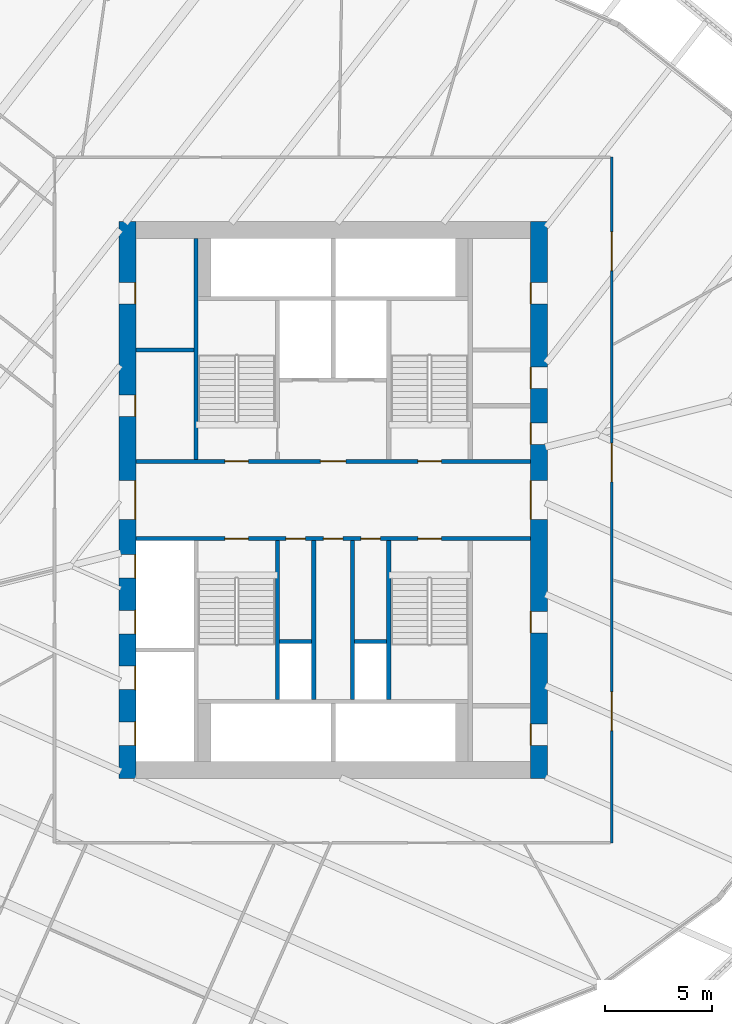
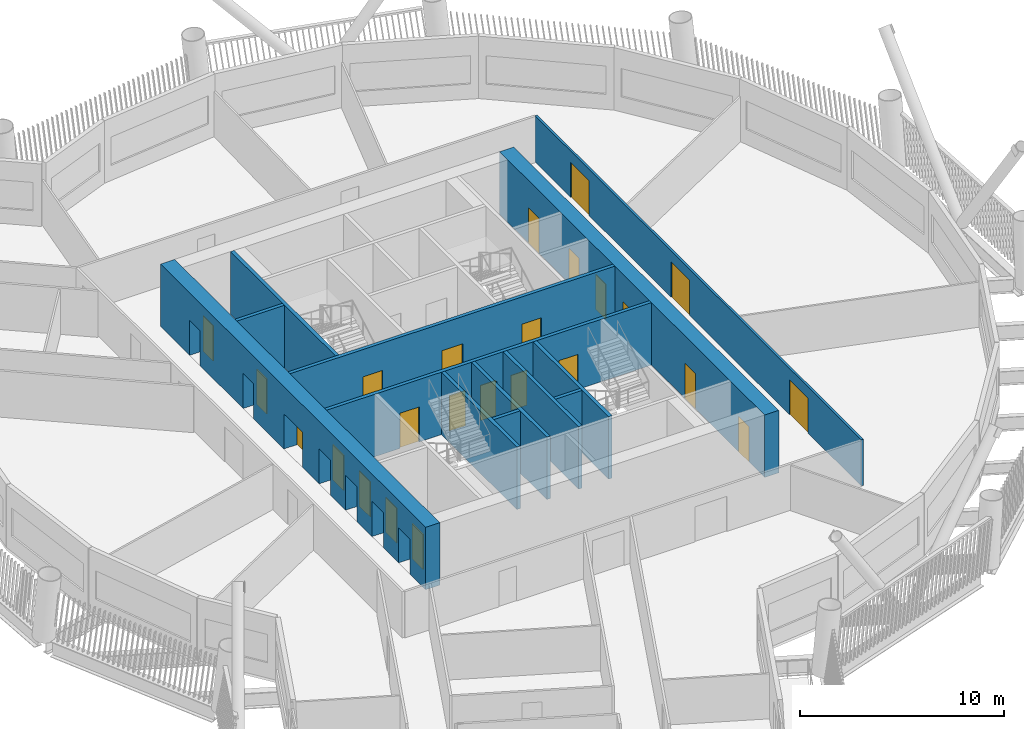
# One storey, part 5 of 22: 24 doors, 13 walls, 24 openings.
"""IFC4 building model written with IfcOpenShell, lengths in metres."""

import ifcopenshell
import ifcopenshell.guid

model = None  # the IFC model being written
_history = None  # IfcOwnerHistory: only IFC2X3 demands one
_inside = {}  # id of a spatial element -> (the spatial element, [elements in it])
_under = {}  # id of a project, library or spatial element -> (it, [spatial elements below it])
_declared = {}  # id of a project -> (the project, [libraries it declares])
_typed = {}  # id of a type object -> (the type object, [elements of that type])
_made_of = {}  # id of a material, layer set ... -> (it, [elements and type objects made of it])


def new_model(schema):
    """Start an empty IFC model of exactly this schema.

    Asked for "IFC4X3", IfcOpenShell would pick the latest addendum, in which some entities
    have other attributes; the version numbers below select the first issue.
    IFC2X3 requires an IfcOwnerHistory on every rooted entity: one is made here for all.
    """
    global model, _history
    if schema == "IFC4X3":
        model = ifcopenshell.file(schema_version=(4, 3, 0, 0))
    else:
        model = ifcopenshell.file(schema=schema)
    _inside.clear()
    _under.clear()
    _declared.clear()
    _typed.clear()
    _made_of.clear()
    _history = None
    if model.schema == "IFC2X3":
        org = make("IfcOrganization", Name="unknown")
        user = make(
            "IfcPersonAndOrganization",
            ThePerson=make("IfcPerson", FamilyName="unknown"),
            TheOrganization=org,
        )
        app = make(
            "IfcApplication",
            ApplicationDeveloper=org,
            Version="unknown",
            ApplicationFullName="unknown",
            ApplicationIdentifier="unknown",
        )
        _history = make(
            "IfcOwnerHistory",
            OwningUser=user,
            OwningApplication=app,
            ChangeAction="ADDED",
            CreationDate=0,
        )
    return model


def make(cls, **values):
    """One entity of the class cls with the attributes given. An attribute that is None is left unset."""
    return model.create_entity(
        cls, **{name: value for name, value in values.items() if value is not None}
    )


def rooted(cls, **values):
    """An entity with a GlobalId (a new one), such as an element, a storey or a relation."""
    return make(cls, GlobalId=ifcopenshell.guid.new(), OwnerHistory=_history, **values)


def si_unit(unit_type, name, prefix=None):
    """IfcSIUnit, for example si_unit("LENGTHUNIT", "METRE", prefix="MILLI")."""
    return make("IfcSIUnit", UnitType=unit_type, Prefix=prefix, Name=name)


def assignment(units):
    """IfcUnitAssignment: the units of a project."""
    return None if units is None else make("IfcUnitAssignment", Units=units)


def point(xyz):
    """IfcCartesianPoint."""
    return None if xyz is None else make("IfcCartesianPoint", Coordinates=xyz)


def direction(xyz):
    """IfcDirection."""
    return None if xyz is None else make("IfcDirection", DirectionRatios=xyz)


def frame(location, z_axis=None, x_axis=None):
    """IfcAxis2Placement3D, a coordinate frame: its origin and axes. An axis left out is left unset."""
    return make(
        "IfcAxis2Placement3D",
        Location=point(location),
        Axis=direction(z_axis),
        RefDirection=direction(x_axis),
    )


def frame_2d(location, x_axis=None):
    """IfcAxis2Placement2D, a coordinate frame in the plane: its origin and x axis."""
    return make(
        "IfcAxis2Placement2D", Location=point(location), RefDirection=direction(x_axis)
    )


def origin():
    """The frame at (0, 0, 0) with its axes left unset."""
    return frame((0.0, 0.0, 0.0))


def place(relative_to, where):
    """IfcLocalPlacement: puts the frame where relative to a parent placement (None: the world)."""
    return make(
        "IfcLocalPlacement", PlacementRelTo=relative_to, RelativePlacement=where
    )


def context(
    kind, dimensions, precision=None, world=None, true_north=None, identifier=None
):
    """IfcGeometricRepresentationContext, for example the 3D "Model" context."""
    return make(
        "IfcGeometricRepresentationContext",
        ContextIdentifier=identifier,
        ContextType=kind,
        CoordinateSpaceDimension=dimensions,
        Precision=precision,
        WorldCoordinateSystem=world,
        TrueNorth=true_north,
    )


def subcontext(parent, identifier, kind, view, scale=None):
    """IfcGeometricRepresentationSubContext, for example "Body" below "Model"."""
    return make(
        "IfcGeometricRepresentationSubContext",
        ContextIdentifier=identifier,
        ContextType=kind,
        ParentContext=parent,
        TargetScale=scale,
        TargetView=view,
    )


def project(units=None, contexts=None):
    """IfcProject with its units and contexts."""
    return rooted(
        "IfcProject",
        Name="project",
        RepresentationContexts=contexts,
        UnitsInContext=assignment(units),
    )


def spatial(cls, under=None, at=None, **own):
    """A site, building, storey or space (cls), placed at a placement, below another one or the project."""
    s = rooted(cls, ObjectPlacement=at, **own)
    if under is not None:
        _under.setdefault(under.id(), (under, []))[1].append(s)
    return s


def profile(cls, at=None, kind="AREA", **sizes):
    """A parametric profile (cls). Its sizes go by their IFC names, for example OverallWidth=200.0."""
    return make(cls, ProfileType=kind, Position=at, **sizes)


def rectangle(**sizes):
    """IfcRectangleProfileDef."""
    return profile("IfcRectangleProfileDef", **sizes)


def extrude(swept, where, along, depth):
    """IfcExtrudedAreaSolid: the profile swept, set in the frame where, extruded along a direction by depth."""
    return make(
        "IfcExtrudedAreaSolid",
        SweptArea=swept,
        Position=where,
        ExtrudedDirection=direction(along),
        Depth=depth,
    )


def shape(context_of_items, identifier, shape_type, items):
    """IfcShapeRepresentation: the items that make up one representation, for example the "Body"."""
    return make(
        "IfcShapeRepresentation",
        ContextOfItems=context_of_items,
        RepresentationIdentifier=identifier,
        RepresentationType=shape_type,
        Items=items,
    )


def material(Name=None, Category=None):
    """IfcMaterial."""
    return make("IfcMaterial", Name=Name, Category=Category)


def layer(
    of_material, thickness, ventilated=None, Name=None, Category=None, Priority=None
):
    """IfcMaterialLayer: one layer of a wall or slab, of a material (None: an air gap)."""
    return make(
        "IfcMaterialLayer",
        Material=of_material,
        LayerThickness=thickness,
        IsVentilated=ventilated,
        Name=Name,
        Category=Category,
        Priority=Priority,
    )


def layer_set(layers, Name=None):
    """IfcMaterialLayerSet."""
    return make("IfcMaterialLayerSet", MaterialLayers=layers, LayerSetName=Name)


def made_of(thing, what):
    """Note that an element or type object is made of a material, layer set ...; save() writes the relation."""
    if what is not None:
        _made_of.setdefault(what.id(), (what, []))[1].append(thing)
    return thing


def type_object(cls, material=None, **own):
    """A type object (cls), such as IfcWallType, which elements share."""
    return made_of(rooted(cls, **own), material)


def element(
    cls,
    number,
    at=None,
    inside=None,
    cuts=None,
    type_object=None,
    material=None,
    context=None,
    identifier="Body",
    shape_type=None,
    held_by="IfcProductDefinitionShape",
    body=None,
    shapes=None,
    **own,
):
    """One element of the class cls, such as IfcWall. Its Tag is "e" and its number.

    at: its placement. inside: the storey or other place that contains it. cuts: it is an
    opening in that element (IfcRelVoidsElement). A single representation is given by context,
    identifier, shape_type and body (its items); several are given by shapes. held_by: the class
    of the entity that holds the representations. save() writes the other relations.
    """
    e = rooted(cls, Tag="e%d" % number, ObjectPlacement=at, **own)
    if body is not None:
        shapes = [shape(context, identifier, shape_type, body)]
    if shapes is not None:
        e.Representation = make(held_by, Representations=shapes)
    if inside is not None:
        _inside.setdefault(inside.id(), (inside, []))[1].append(e)
    if cuts is not None:
        rooted(
            "IfcRelVoidsElement", RelatingBuildingElement=cuts, RelatedOpeningElement=e
        )
    if type_object is not None:
        _typed.setdefault(type_object.id(), (type_object, []))[1].append(e)
    return made_of(e, material)


def fill(opening, filler):
    """IfcRelFillsElement: the door or window that sits in an opening."""
    return rooted(
        "IfcRelFillsElement",
        RelatingOpeningElement=opening,
        RelatedBuildingElement=filler,
    )


def aggregate(whole, parts):
    """IfcRelAggregates: a whole, such as a stair, and the parts it consists of."""
    return rooted("IfcRelAggregates", RelatingObject=whole, RelatedObjects=parts)


def save(model, path):
    """Write the relations noted so far, then the file.

    IfcRelAggregates (storeys below a building ...), IfcRelContainedInSpatialStructure (elements
    in a storey), IfcRelDefinesByType, IfcRelAssociatesMaterial and IfcRelDeclares: one each for
    every whole, place, type object, material and project.
    """
    for whole, parts in _under.values():
        aggregate(whole, parts)
    for where, things in _inside.values():
        rooted(
            "IfcRelContainedInSpatialStructure",
            RelatedElements=things,
            RelatingStructure=where,
        )
    for kind, things in _typed.values():
        rooted("IfcRelDefinesByType", RelatedObjects=things, RelatingType=kind)
    for what, things in _made_of.values():
        rooted("IfcRelAssociatesMaterial", RelatedObjects=things, RelatingMaterial=what)
    for by, libraries in _declared.values():
        rooted("IfcRelDeclares", RelatingContext=by, RelatedDefinitions=libraries)
    model.write(path)


model = new_model("IFC4")

# Units and contexts
model_context = context("Model", 3, precision=1e-05, world=origin(), true_north=direction((0.0, 1.0)))
body_context = subcontext(model_context, "Body", "Model", "MODEL_VIEW")
ifc_project = project(units=[si_unit("LENGTHUNIT", "METRE"), si_unit("AREAUNIT", "SQUARE_METRE"), si_unit("VOLUMEUNIT", "CUBIC_METRE"), si_unit("PLANEANGLEUNIT", "RADIAN"), si_unit("MASSUNIT", "GRAM", prefix="KILO")], contexts=[model_context])

# Site, building, storey
site_placement = place(None, origin())
site = spatial("IfcSite", under=ifc_project, at=site_placement, CompositionType="ELEMENT")
building_placement = place(site_placement, origin())
building = spatial("IfcBuilding", under=site, at=building_placement, Name="Tarsis Ring Headquarters", CompositionType="ELEMENT")
storey_placement = place(building_placement, frame((0.0, 0.0, 116.199951171875)))
storey = spatial("IfcBuildingStorey", under=building, at=storey_placement, Name="L26", CompositionType="ELEMENT", Elevation=116.199951171875)

# Walls
ifc_material_1 = material(Name="Blockwork", Category="masonry")
ifc_layer_1 = layer(ifc_material_1, 0.199951171875)
ifc_layer_set_1 = layer_set([ifc_layer_1], Name="Core blockwork wall 200")
wall_type_1 = type_object("IfcWallType", Name="Core blockwork wall 200", PredefinedType="PARTITIONING", material=ifc_layer_set_1)
wall_1_placement = place(storey_placement, frame((-9.199951171875, 7.0, 0.0), z_axis=(0.0, 0.0, 1.0), x_axis=(1.0, 0.0, 0.0)))
element("IfcWall", 1, at=wall_1_placement, inside=storey, type_object=wall_type_1, Name="Core partition WD6", PredefinedType="PARTITIONING", context=body_context, shape_type="SweptSolid", body=[
    extrude(rectangle(XDim=2.699951171875, YDim=0.199951171875, at=frame_2d((1.35009765625, 0.0))), origin(), (0.0, 0.0, 1.0), 3.739990234375),
])
for number, where, z_axis, x_axis, name in (
    (2, (-2.5, -6.60009765625, 0.0), (0.0, 0.0, 1.0), (1.0, 0.0, 0.0), "Core partition SP1"),
    (3, (1.0, -6.60009765625, 0.0), (0.0, 0.0, 1.0), (1.0, 0.0, 0.0), "Core partition SP3"),
):
    element("IfcWall", number, at=place(storey_placement, frame(where, z_axis=z_axis, x_axis=x_axis)), inside=storey, type_object=wall_type_1, Name=name, PredefinedType="PARTITIONING", context=body_context, shape_type="SweptSolid", body=[
        extrude(rectangle(XDim=1.5, YDim=0.199951171875, at=frame_2d((0.75, 0.0))), origin(), (0.0, 0.0, 1.0), 3.739990234375),
    ])
for number, where, z_axis, x_axis, name in (
    (4, (-0.89990234375, -9.300048828125, 0.0), (0.0, 0.0, 1.0), (0.0, 1.0, 0.0), "Core partition SV1"),
    (5, (0.89990234375, -9.300048828125, 0.0), (0.0, 0.0, 1.0), (0.0, 1.0, 0.0), "Core partition SV2"),
):
    element("IfcWall", number, at=place(storey_placement, frame(where, z_axis=z_axis, x_axis=x_axis)), inside=storey, type_object=wall_type_1, Name=name, PredefinedType="PARTITIONING", context=body_context, shape_type="SweptSolid", body=[
        extrude(rectangle(XDim=7.400146484375, YDim=0.199951171875, at=frame_2d((3.7001953125, 0.0))), origin(), (0.0, 0.0, 1.0), 3.739990234375),
    ])

# Wall, openings, doors
ifc_material_2 = material(Name="Concrete C60/75", Category="concrete")
ifc_layer_2 = layer(ifc_material_2, 0.800048828125)
ifc_layer_set_2 = layer_set([ifc_layer_2], Name="Core wall 800 C60/75")
wall_type_2 = type_object("IfcWallType", Name="Core wall 800 C60/75", PredefinedType="SHEAR", material=ifc_layer_set_2)
wall_2_placement = place(storey_placement, frame((-9.60009765625, -13.0, 0.0), z_axis=(0.0, 0.0, 1.0), x_axis=(0.0, 1.0, 0.0)))
wall_2 = element("IfcWall", 6, at=wall_2_placement, inside=storey, type_object=wall_type_2, Name="Core wall OW", PredefinedType="SHEAR", context=body_context, shape_type="SweptSolid", body=[
    extrude(rectangle(XDim=26.0, YDim=0.800048828125, at=frame_2d((13.0, 0.0))), origin(), (0.0, 0.0, 1.0), 3.739990234375),
])
opening_1_placement = place(wall_2_placement, frame((1.550048828125, 0.0, 0.0)))
opening_1 = element("IfcOpeningElement", 7, at=opening_1_placement, cuts=wall_2, Name="Opening LD-LR1", PredefinedType="OPENING", context=body_context, shape_type="SweptSolid", body=[
    extrude(rectangle(XDim=1.10009765625, YDim=2.10009765625, at=frame_2d((0.550048828125, 1.050048828125))), frame((0.0, 0.409912109375, 0.0), z_axis=(0.0, -1.0, 0.0), x_axis=(1.0, 0.0, 0.0)), (0.0, 0.0, 1.0), 0.820068359375),
])
opening_2_placement = place(wall_2_placement, frame((4.14990234375, 0.0, 0.0)))
opening_2 = element("IfcOpeningElement", 8, at=opening_2_placement, cuts=wall_2, Name="Opening LD-LR2", PredefinedType="OPENING", context=body_context, shape_type="SweptSolid", body=[
    extrude(rectangle(XDim=1.10009765625, YDim=2.10009765625, at=frame_2d((0.550048828125, 1.050048828125))), frame((0.0, 0.409912109375, 0.0), z_axis=(0.0, -1.0, 0.0), x_axis=(1.0, 0.0, 0.0)), (0.0, 0.0, 1.0), 0.820068359375),
])
opening_3_placement = place(wall_2_placement, frame((6.75, 0.0, 0.0)))
opening_3 = element("IfcOpeningElement", 9, at=opening_3_placement, cuts=wall_2, Name="Opening LD-LR3", PredefinedType="OPENING", context=body_context, shape_type="SweptSolid", body=[
    extrude(rectangle(XDim=1.10009765625, YDim=2.10009765625, at=frame_2d((0.550048828125, 1.050048828125))), frame((0.0, 0.409912109375, 0.0), z_axis=(0.0, -1.0, 0.0), x_axis=(1.0, 0.0, 0.0)), (0.0, 0.0, 1.0), 0.820068359375),
])
opening_4_placement = place(wall_2_placement, frame((9.35009765625, 0.0, 0.0)))
opening_4 = element("IfcOpeningElement", 10, at=opening_4_placement, cuts=wall_2, Name="Opening LD-LR4", PredefinedType="OPENING", context=body_context, shape_type="SweptSolid", body=[
    extrude(rectangle(XDim=1.10009765625, YDim=2.10009765625, at=frame_2d((0.550048828125, 1.050048828125))), frame((0.0, 0.409912109375, 0.0), z_axis=(0.0, -1.0, 0.0), x_axis=(1.0, 0.0, 0.0)), (0.0, 0.0, 1.0), 0.820068359375),
])
opening_5_placement = place(wall_2_placement, frame((12.10009765625, 0.0, 0.0)))
opening_5 = element("IfcOpeningElement", 11, at=opening_5_placement, cuts=wall_2, Name="Opening L26-C05", PredefinedType="OPENING", context=body_context, shape_type="SweptSolid", body=[
    extrude(rectangle(XDim=1.800048828125, YDim=2.10009765625, at=frame_2d((0.89990234375, 1.050048828125))), frame((0.0, 0.409912109375, 0.0), z_axis=(0.0, -1.0, 0.0), x_axis=(1.0, 0.0, 0.0)), (0.0, 0.0, 1.0), 0.820068359375),
])
opening_6_placement = place(wall_2_placement, frame((16.89990234375, 0.0, 0.0)))
opening_6 = element("IfcOpeningElement", 12, at=opening_6_placement, cuts=wall_2, Name="Opening L26-C06", PredefinedType="OPENING", context=body_context, shape_type="SweptSolid", body=[
    extrude(rectangle(XDim=1.0, YDim=2.10009765625, at=frame_2d((0.5, 1.050048828125))), frame((0.0, 0.409912109375, 0.0), z_axis=(0.0, -1.0, 0.0), x_axis=(1.0, 0.0, 0.0)), (0.0, 0.0, 1.0), 0.820068359375),
])
opening_7_placement = place(wall_2_placement, frame((22.14990234375, 0.0, 0.0)))
opening_7 = element("IfcOpeningElement", 13, at=opening_7_placement, cuts=wall_2, Name="Opening L26-C07", PredefinedType="OPENING", context=body_context, shape_type="SweptSolid", body=[
    extrude(rectangle(XDim=1.0, YDim=2.10009765625, at=frame_2d((0.5, 1.050048828125))), frame((0.0, 0.409912109375, 0.0), z_axis=(0.0, -1.0, 0.0), x_axis=(1.0, 0.0, 0.0)), (0.0, 0.0, 1.0), 0.820068359375),
])
ifc_material_3 = material(Name="Steel S355", Category="steel")
door_type_1 = type_object("IfcDoorType", Name="Core entry door 1800x2100", OperationType="DOUBLE_DOOR_SINGLE_SWING", PredefinedType="DOOR", material=ifc_material_3)
door_1_placement = place(opening_5_placement, origin())
door_1 = element("IfcDoor", 14, at=door_1_placement, inside=storey, type_object=door_type_1, Name="Core entry door L26", OperationType="DOUBLE_DOOR_SINGLE_SWING", OverallHeight=2.10009765625, OverallWidth=1.800048828125, PredefinedType="DOOR", context=body_context, shape_type="SweptSolid", body=[
    extrude(rectangle(XDim=1.800048828125, YDim=2.10009765625, at=frame_2d((0.89990234375, 1.050048828125))), frame((0.0, -0.35009765625, 0.0), z_axis=(0.0, -1.0, 0.0), x_axis=(1.0, 0.0, 0.0)), (0.0, 0.0, 1.0), 0.050048828125),
])
fill(opening_5, door_1)
door_type_2 = type_object("IfcDoorType", Name="Core room door 1000x2100", OperationType="SINGLE_SWING_LEFT", PredefinedType="DOOR", material=ifc_material_3)
door_2_placement = place(opening_6_placement, origin())
door_2 = element("IfcDoor", 15, at=door_2_placement, inside=storey, type_object=door_type_2, Name="Core room door L26", OperationType="SINGLE_SWING_LEFT", OverallHeight=2.10009765625, OverallWidth=1.0, PredefinedType="DOOR", context=body_context, shape_type="SweptSolid", body=[
    extrude(rectangle(XDim=1.0, YDim=2.10009765625, at=frame_2d((0.5, 1.050048828125))), frame((0.0, -0.35009765625, 0.0), z_axis=(0.0, -1.0, 0.0), x_axis=(1.0, 0.0, 0.0)), (0.0, 0.0, 1.0), 0.050048828125),
])
fill(opening_6, door_2)
door_3_placement = place(opening_7_placement, origin())
door_3 = element("IfcDoor", 16, at=door_3_placement, inside=storey, type_object=door_type_2, Name="Core room door L26", OperationType="SINGLE_SWING_LEFT", OverallHeight=2.10009765625, OverallWidth=1.0, PredefinedType="DOOR", context=body_context, shape_type="SweptSolid", body=[
    extrude(rectangle(XDim=1.0, YDim=2.10009765625, at=frame_2d((0.5, 1.050048828125))), frame((0.0, -0.35009765625, 0.0), z_axis=(0.0, -1.0, 0.0), x_axis=(1.0, 0.0, 0.0)), (0.0, 0.0, 1.0), 0.050048828125),
])
fill(opening_7, door_3)
door_type_3 = type_object("IfcDoorType", Name="Landing door 1100x2100", OperationType="SLIDING_TO_LEFT", PredefinedType="DOOR", material=ifc_material_3)
door_4_placement = place(opening_1_placement, origin())
door_4 = element("IfcDoor", 17, at=door_4_placement, inside=storey, type_object=door_type_3, Name="Landing door LR1 L26", OperationType="SLIDING_TO_LEFT", OverallHeight=2.10009765625, OverallWidth=1.10009765625, PredefinedType="DOOR", context=body_context, shape_type="SweptSolid", body=[
    extrude(rectangle(XDim=1.10009765625, YDim=2.10009765625, at=frame_2d((0.550048828125, 1.050048828125))), frame((0.0, -0.35009765625, 0.0), z_axis=(0.0, -1.0, 0.0), x_axis=(1.0, 0.0, 0.0)), (0.0, 0.0, 1.0), 0.050048828125),
])
fill(opening_1, door_4)
door_5_placement = place(opening_2_placement, origin())
door_5 = element("IfcDoor", 18, at=door_5_placement, inside=storey, type_object=door_type_3, Name="Landing door LR2 L26", OperationType="SLIDING_TO_LEFT", OverallHeight=2.10009765625, OverallWidth=1.10009765625, PredefinedType="DOOR", context=body_context, shape_type="SweptSolid", body=[
    extrude(rectangle(XDim=1.10009765625, YDim=2.10009765625, at=frame_2d((0.550048828125, 1.050048828125))), frame((0.0, -0.35009765625, 0.0), z_axis=(0.0, -1.0, 0.0), x_axis=(1.0, 0.0, 0.0)), (0.0, 0.0, 1.0), 0.050048828125),
])
fill(opening_2, door_5)
door_6_placement = place(opening_3_placement, origin())
door_6 = element("IfcDoor", 19, at=door_6_placement, inside=storey, type_object=door_type_3, Name="Landing door LR3 L26", OperationType="SLIDING_TO_LEFT", OverallHeight=2.10009765625, OverallWidth=1.10009765625, PredefinedType="DOOR", context=body_context, shape_type="SweptSolid", body=[
    extrude(rectangle(XDim=1.10009765625, YDim=2.10009765625, at=frame_2d((0.550048828125, 1.050048828125))), frame((0.0, -0.35009765625, 0.0), z_axis=(0.0, -1.0, 0.0), x_axis=(1.0, 0.0, 0.0)), (0.0, 0.0, 1.0), 0.050048828125),
])
fill(opening_3, door_6)
door_7_placement = place(opening_4_placement, origin())
door_7 = element("IfcDoor", 20, at=door_7_placement, inside=storey, type_object=door_type_3, Name="Landing door LR4 L26", OperationType="SLIDING_TO_LEFT", OverallHeight=2.10009765625, OverallWidth=1.10009765625, PredefinedType="DOOR", context=body_context, shape_type="SweptSolid", body=[
    extrude(rectangle(XDim=1.10009765625, YDim=2.10009765625, at=frame_2d((0.550048828125, 1.050048828125))), frame((0.0, -0.35009765625, 0.0), z_axis=(0.0, -1.0, 0.0), x_axis=(1.0, 0.0, 0.0)), (0.0, 0.0, 1.0), 0.050048828125),
])
fill(opening_4, door_7)

wall_3_placement = place(storey_placement, frame((9.60009765625, -13.0, 0.0), z_axis=(0.0, 0.0, 1.0), x_axis=(0.0, 1.0, 0.0)))
wall_3 = element("IfcWall", 21, at=wall_3_placement, inside=storey, type_object=wall_type_2, Name="Core wall OE", PredefinedType="SHEAR", context=body_context, shape_type="SweptSolid", body=[
    extrude(rectangle(XDim=26.0, YDim=0.800048828125, at=frame_2d((13.0, 0.0))), origin(), (0.0, 0.0, 1.0), 3.739990234375),
])
opening_8_placement = place(wall_3_placement, frame((1.550048828125, 0.0, 0.0)))
opening_8 = element("IfcOpeningElement", 22, at=opening_8_placement, cuts=wall_3, Name="Opening L26-C08", PredefinedType="OPENING", context=body_context, shape_type="SweptSolid", body=[
    extrude(rectangle(XDim=1.0, YDim=2.10009765625, at=frame_2d((0.5, 1.050048828125))), frame((0.0, 0.409912109375, 0.0), z_axis=(0.0, -1.0, 0.0), x_axis=(1.0, 0.0, 0.0)), (0.0, 0.0, 1.0), 0.820068359375),
])
opening_9_placement = place(wall_3_placement, frame((6.800048828125, 0.0, 0.0)))
opening_9 = element("IfcOpeningElement", 23, at=opening_9_placement, cuts=wall_3, Name="Opening L26-C09", PredefinedType="OPENING", context=body_context, shape_type="SweptSolid", body=[
    extrude(rectangle(XDim=1.0, YDim=2.10009765625, at=frame_2d((0.5, 1.050048828125))), frame((0.0, 0.409912109375, 0.0), z_axis=(0.0, -1.0, 0.0), x_axis=(1.0, 0.0, 0.0)), (0.0, 0.0, 1.0), 0.820068359375),
])
opening_10_placement = place(wall_3_placement, frame((12.10009765625, 0.0, 0.0)))
opening_10 = element("IfcOpeningElement", 24, at=opening_10_placement, cuts=wall_3, Name="Opening L26-C10", PredefinedType="OPENING", context=body_context, shape_type="SweptSolid", body=[
    extrude(rectangle(XDim=1.800048828125, YDim=2.10009765625, at=frame_2d((0.89990234375, 1.050048828125))), frame((0.0, 0.409912109375, 0.0), z_axis=(0.0, -1.0, 0.0), x_axis=(1.0, 0.0, 0.0)), (0.0, 0.0, 1.0), 0.820068359375),
])
opening_11_placement = place(wall_3_placement, frame((15.60009765625, 0.0, 0.0)))
opening_11 = element("IfcOpeningElement", 25, at=opening_11_placement, cuts=wall_3, Name="Opening L26-C11", PredefinedType="OPENING", context=body_context, shape_type="SweptSolid", body=[
    extrude(rectangle(XDim=1.0, YDim=2.10009765625, at=frame_2d((0.5, 1.050048828125))), frame((0.0, 0.409912109375, 0.0), z_axis=(0.0, -1.0, 0.0), x_axis=(1.0, 0.0, 0.0)), (0.0, 0.0, 1.0), 0.820068359375),
])
opening_12_placement = place(wall_3_placement, frame((18.199951171875, 0.0, 0.0)))
opening_12 = element("IfcOpeningElement", 26, at=opening_12_placement, cuts=wall_3, Name="Opening L26-C12", PredefinedType="OPENING", context=body_context, shape_type="SweptSolid", body=[
    extrude(rectangle(XDim=1.0, YDim=2.10009765625, at=frame_2d((0.5, 1.050048828125))), frame((0.0, 0.409912109375, 0.0), z_axis=(0.0, -1.0, 0.0), x_axis=(1.0, 0.0, 0.0)), (0.0, 0.0, 1.0), 0.820068359375),
])
opening_13_placement = place(wall_3_placement, frame((22.14990234375, 0.0, 0.0)))
opening_13 = element("IfcOpeningElement", 27, at=opening_13_placement, cuts=wall_3, Name="Opening L26-C13", PredefinedType="OPENING", context=body_context, shape_type="SweptSolid", body=[
    extrude(rectangle(XDim=1.0, YDim=2.10009765625, at=frame_2d((0.5, 1.050048828125))), frame((0.0, 0.409912109375, 0.0), z_axis=(0.0, -1.0, 0.0), x_axis=(1.0, 0.0, 0.0)), (0.0, 0.0, 1.0), 0.820068359375),
])
door_8_placement = place(opening_10_placement, origin())
door_8 = element("IfcDoor", 28, at=door_8_placement, inside=storey, type_object=door_type_1, Name="Core entry door L26", OperationType="DOUBLE_DOOR_SINGLE_SWING", OverallHeight=2.10009765625, OverallWidth=1.800048828125, PredefinedType="DOOR", context=body_context, shape_type="SweptSolid", body=[
    extrude(rectangle(XDim=1.800048828125, YDim=2.10009765625, at=frame_2d((0.89990234375, 1.050048828125))), frame((0.0, 0.39990234375, 0.0), z_axis=(0.0, -1.0, 0.0), x_axis=(1.0, 0.0, 0.0)), (0.0, 0.0, 1.0), 0.050048828125),
])
fill(opening_10, door_8)
door_9_placement = place(opening_8_placement, origin())
door_9 = element("IfcDoor", 29, at=door_9_placement, inside=storey, type_object=door_type_2, Name="Core room door L26", OperationType="SINGLE_SWING_LEFT", OverallHeight=2.10009765625, OverallWidth=1.0, PredefinedType="DOOR", context=body_context, shape_type="SweptSolid", body=[
    extrude(rectangle(XDim=1.0, YDim=2.10009765625, at=frame_2d((0.5, 1.050048828125))), frame((0.0, 0.39990234375, 0.0), z_axis=(0.0, -1.0, 0.0), x_axis=(1.0, 0.0, 0.0)), (0.0, 0.0, 1.0), 0.050048828125),
])
fill(opening_8, door_9)
door_10_placement = place(opening_9_placement, origin())
door_10 = element("IfcDoor", 30, at=door_10_placement, inside=storey, type_object=door_type_2, Name="Core room door L26", OperationType="SINGLE_SWING_LEFT", OverallHeight=2.10009765625, OverallWidth=1.0, PredefinedType="DOOR", context=body_context, shape_type="SweptSolid", body=[
    extrude(rectangle(XDim=1.0, YDim=2.10009765625, at=frame_2d((0.5, 1.050048828125))), frame((0.0, 0.39990234375, 0.0), z_axis=(0.0, -1.0, 0.0), x_axis=(1.0, 0.0, 0.0)), (0.0, 0.0, 1.0), 0.050048828125),
])
fill(opening_9, door_10)
door_11_placement = place(opening_11_placement, origin())
door_11 = element("IfcDoor", 31, at=door_11_placement, inside=storey, type_object=door_type_2, Name="Core room door L26", OperationType="SINGLE_SWING_LEFT", OverallHeight=2.10009765625, OverallWidth=1.0, PredefinedType="DOOR", context=body_context, shape_type="SweptSolid", body=[
    extrude(rectangle(XDim=1.0, YDim=2.10009765625, at=frame_2d((0.5, 1.050048828125))), frame((0.0, 0.39990234375, 0.0), z_axis=(0.0, -1.0, 0.0), x_axis=(1.0, 0.0, 0.0)), (0.0, 0.0, 1.0), 0.050048828125),
])
fill(opening_11, door_11)
door_12_placement = place(opening_12_placement, origin())
door_12 = element("IfcDoor", 32, at=door_12_placement, inside=storey, type_object=door_type_2, Name="Core room door L26", OperationType="SINGLE_SWING_LEFT", OverallHeight=2.10009765625, OverallWidth=1.0, PredefinedType="DOOR", context=body_context, shape_type="SweptSolid", body=[
    extrude(rectangle(XDim=1.0, YDim=2.10009765625, at=frame_2d((0.5, 1.050048828125))), frame((0.0, 0.39990234375, 0.0), z_axis=(0.0, -1.0, 0.0), x_axis=(1.0, 0.0, 0.0)), (0.0, 0.0, 1.0), 0.050048828125),
])
fill(opening_12, door_12)
door_13_placement = place(opening_13_placement, origin())
door_13 = element("IfcDoor", 33, at=door_13_placement, inside=storey, type_object=door_type_2, Name="Core room door L26", OperationType="SINGLE_SWING_LEFT", OverallHeight=2.10009765625, OverallWidth=1.0, PredefinedType="DOOR", context=body_context, shape_type="SweptSolid", body=[
    extrude(rectangle(XDim=1.0, YDim=2.10009765625, at=frame_2d((0.5, 1.050048828125))), frame((0.0, 0.39990234375, 0.0), z_axis=(0.0, -1.0, 0.0), x_axis=(1.0, 0.0, 0.0)), (0.0, 0.0, 1.0), 0.050048828125),
])
fill(opening_13, door_13)

ifc_material_4 = material(Name="Gypsum board on steel studs", Category="steel")
ifc_layer_3 = layer(ifc_material_4, 0.125)
ifc_layer_set_3 = layer_set([ifc_layer_3], Name="FL partition 125 EI 60 H2770")
wall_type_3 = type_object("IfcWallType", Name="FL partition 125 EI 60 H2770", PredefinedType="PARTITIONING", material=ifc_layer_set_3)
wall_4_placement = place(storey_placement, frame((13.0, -16.0, 0.0), z_axis=(0.0, 0.0, 1.0), x_axis=(0.0, 1.0, 0.0)))
wall_4 = element("IfcWall", 34, at=wall_4_placement, inside=storey, type_object=wall_type_3, Name="Partition PW1", PredefinedType="PARTITIONING", context=body_context, shape_type="SweptSolid", body=[
    extrude(rectangle(XDim=32.0, YDim=0.125, at=frame_2d((16.0, 0.0))), origin(), (0.0, 0.0, 1.0), 2.77001953125),
])
opening_14_placement = place(wall_4_placement, frame((26.708984375, 0.0, 0.0)))
opening_14 = element("IfcOpeningElement", 35, at=opening_14_placement, cuts=wall_4, Name="Opening D26.06", PredefinedType="OPENING", context=body_context, shape_type="SweptSolid", body=[
    extrude(rectangle(XDim=1.800048828125, YDim=2.10009765625, at=frame_2d((0.89990234375, 1.050048828125))), frame((0.0, 0.072509765625, 0.0), z_axis=(0.0, -1.0, 0.0), x_axis=(1.0, 0.0, 0.0)), (0.0, 0.0, 1.0), 0.14501953125),
])
opening_15_placement = place(wall_4_placement, frame((16.85009765625, 0.0, 0.0)))
opening_15 = element("IfcOpeningElement", 36, at=opening_15_placement, cuts=wall_4, Name="Opening D26.07", PredefinedType="OPENING", context=body_context, shape_type="SweptSolid", body=[
    extrude(rectangle(XDim=1.800048828125, YDim=2.10009765625, at=frame_2d((0.89990234375, 1.050048828125))), frame((0.0, 0.072509765625, 0.0), z_axis=(0.0, -1.0, 0.0), x_axis=(1.0, 0.0, 0.0)), (0.0, 0.0, 1.0), 0.14501953125),
])
opening_16_placement = place(wall_4_placement, frame((5.2412109375, 0.0, 0.0)))
opening_16 = element("IfcOpeningElement", 37, at=opening_16_placement, cuts=wall_4, Name="Opening D26.08", PredefinedType="OPENING", context=body_context, shape_type="SweptSolid", body=[
    extrude(rectangle(XDim=1.800048828125, YDim=2.10009765625, at=frame_2d((0.89990234375, 1.050048828125))), frame((0.0, 0.072509765625, 0.0), z_axis=(0.0, -1.0, 0.0), x_axis=(1.0, 0.0, 0.0)), (0.0, 0.0, 1.0), 0.14501953125),
])
ifc_material_5 = material(Name="Fire-rated timber door leaf in steel frame", Category="steel")
door_type_4 = type_object("IfcDoorType", Name="FL door FD60-1800", OperationType="DOUBLE_DOOR_SINGLE_SWING", PredefinedType="DOOR", material=ifc_material_5)
door_14_placement = place(opening_14_placement, origin())
door_14 = element("IfcDoor", 38, at=door_14_placement, inside=storey, type_object=door_type_4, Name="Door D26.06", OperationType="DOUBLE_DOOR_SINGLE_SWING", OverallHeight=2.10009765625, OverallWidth=1.800048828125, PredefinedType="DOOR", context=body_context, shape_type="SweptSolid", body=[
    extrude(rectangle(XDim=1.800048828125, YDim=2.10009765625, at=frame_2d((0.89990234375, 1.050048828125))), frame((0.0, 0.02490234375, 0.0), z_axis=(0.0, -1.0, 0.0), x_axis=(1.0, 0.0, 0.0)), (0.0, 0.0, 1.0), 0.050048828125),
])
fill(opening_14, door_14)
door_15_placement = place(opening_15_placement, origin())
door_15 = element("IfcDoor", 39, at=door_15_placement, inside=storey, type_object=door_type_4, Name="Door D26.07", OperationType="DOUBLE_DOOR_SINGLE_SWING", OverallHeight=2.10009765625, OverallWidth=1.800048828125, PredefinedType="DOOR", context=body_context, shape_type="SweptSolid", body=[
    extrude(rectangle(XDim=1.800048828125, YDim=2.10009765625, at=frame_2d((0.89990234375, 1.050048828125))), frame((0.0, 0.02490234375, 0.0), z_axis=(0.0, -1.0, 0.0), x_axis=(1.0, 0.0, 0.0)), (0.0, 0.0, 1.0), 0.050048828125),
])
fill(opening_15, door_15)
door_16_placement = place(opening_16_placement, origin())
door_16 = element("IfcDoor", 40, at=door_16_placement, inside=storey, type_object=door_type_4, Name="Door D26.08", OperationType="DOUBLE_DOOR_SINGLE_SWING", OverallHeight=2.10009765625, OverallWidth=1.800048828125, PredefinedType="DOOR", context=body_context, shape_type="SweptSolid", body=[
    extrude(rectangle(XDim=1.800048828125, YDim=2.10009765625, at=frame_2d((0.89990234375, 1.050048828125))), frame((0.0, 0.02490234375, 0.0), z_axis=(0.0, -1.0, 0.0), x_axis=(1.0, 0.0, 0.0)), (0.0, 0.0, 1.0), 0.050048828125),
])
fill(opening_16, door_16)

ifc_material_6 = material(Name="Concrete C32/40", Category="concrete")
ifc_layer_4 = layer(ifc_material_6, 0.199951171875)
ifc_layer_set_4 = layer_set([ifc_layer_4], Name="Shaft wall 200 C32/40")
wall_type_4 = type_object("IfcWallType", Name="Shaft wall 200 C32/40", PredefinedType="SOLIDWALL", material=ifc_layer_set_4)
wall_5_placement = place(storey_placement, frame((-9.199951171875, 1.800048828125, 0.0), z_axis=(0.0, 0.0, 1.0), x_axis=(1.0, 0.0, 0.0)))
wall_5 = element("IfcWall", 41, at=wall_5_placement, inside=storey, type_object=wall_type_4, Name="Core shaft wall CN", PredefinedType="SOLIDWALL", context=body_context, shape_type="SweptSolid", body=[
    extrude(rectangle(XDim=18.39990234375, YDim=0.199951171875, at=frame_2d((9.199951171875, 0.0))), origin(), (0.0, 0.0, 1.0), 3.739990234375),
])
opening_17_placement = place(wall_5_placement, frame((4.14990234375, 0.0, 0.0)))
opening_17 = element("IfcOpeningElement", 42, at=opening_17_placement, cuts=wall_5, Name="Opening L26-C14", PredefinedType="OPENING", context=body_context, shape_type="SweptSolid", body=[
    extrude(rectangle(XDim=1.10009765625, YDim=2.10009765625, at=frame_2d((0.550048828125, 1.050048828125))), frame((0.0, 0.10986328125, 0.0), z_axis=(0.0, -1.0, 0.0), x_axis=(1.0, 0.0, 0.0)), (0.0, 0.0, 1.0), 0.219970703125),
])
opening_18_placement = place(wall_5_placement, frame((8.60009765625, 0.0, 0.0)))
opening_18 = element("IfcOpeningElement", 43, at=opening_18_placement, cuts=wall_5, Name="Opening L26-C15", PredefinedType="OPENING", context=body_context, shape_type="SweptSolid", body=[
    extrude(rectangle(XDim=1.199951171875, YDim=2.10009765625, at=frame_2d((0.60009765625, 1.050048828125))), frame((0.0, 0.10986328125, 0.0), z_axis=(0.0, -1.0, 0.0), x_axis=(1.0, 0.0, 0.0)), (0.0, 0.0, 1.0), 0.219970703125),
])
opening_19_placement = place(wall_5_placement, frame((13.14990234375, 0.0, 0.0)))
opening_19 = element("IfcOpeningElement", 44, at=opening_19_placement, cuts=wall_5, Name="Opening L26-C16", PredefinedType="OPENING", context=body_context, shape_type="SweptSolid", body=[
    extrude(rectangle(XDim=1.10009765625, YDim=2.10009765625, at=frame_2d((0.550048828125, 1.050048828125))), frame((0.0, 0.10986328125, 0.0), z_axis=(0.0, -1.0, 0.0), x_axis=(1.0, 0.0, 0.0)), (0.0, 0.0, 1.0), 0.219970703125),
])
door_type_5 = type_object("IfcDoorType", Name="Firefighting lobby door 1200x2100", OperationType="DOUBLE_DOOR_SINGLE_SWING", PredefinedType="DOOR", material=ifc_material_3)
door_17_placement = place(opening_18_placement, origin())
door_17 = element("IfcDoor", 45, at=door_17_placement, inside=storey, type_object=door_type_5, Name="Firefighting lobby door L26", OperationType="DOUBLE_DOOR_SINGLE_SWING", OverallHeight=2.10009765625, OverallWidth=1.199951171875, PredefinedType="DOOR", context=body_context, shape_type="SweptSolid", body=[
    extrude(rectangle(XDim=1.199951171875, YDim=2.10009765625, at=frame_2d((0.60009765625, 1.050048828125))), frame((0.0, 0.02490234375, 0.0), z_axis=(0.0, -1.0, 0.0), x_axis=(1.0, 0.0, 0.0)), (0.0, 0.0, 1.0), 0.050048828125),
])
fill(opening_18, door_17)
door_type_6 = type_object("IfcDoorType", Name="Stair door 1100x2100", OperationType="SINGLE_SWING_LEFT", PredefinedType="DOOR", material=ifc_material_3)
door_18_placement = place(opening_17_placement, origin())
door_18 = element("IfcDoor", 46, at=door_18_placement, inside=storey, type_object=door_type_6, Name="Stair door L26", OperationType="SINGLE_SWING_LEFT", OverallHeight=2.10009765625, OverallWidth=1.10009765625, PredefinedType="DOOR", context=body_context, shape_type="SweptSolid", body=[
    extrude(rectangle(XDim=1.10009765625, YDim=2.10009765625, at=frame_2d((0.550048828125, 1.050048828125))), frame((0.0, 0.02490234375, 0.0), z_axis=(0.0, -1.0, 0.0), x_axis=(1.0, 0.0, 0.0)), (0.0, 0.0, 1.0), 0.050048828125),
])
fill(opening_17, door_18)
door_19_placement = place(opening_19_placement, origin())
door_19 = element("IfcDoor", 47, at=door_19_placement, inside=storey, type_object=door_type_6, Name="Stair door L26", OperationType="SINGLE_SWING_LEFT", OverallHeight=2.10009765625, OverallWidth=1.10009765625, PredefinedType="DOOR", context=body_context, shape_type="SweptSolid", body=[
    extrude(rectangle(XDim=1.10009765625, YDim=2.10009765625, at=frame_2d((0.550048828125, 1.050048828125))), frame((0.0, 0.02490234375, 0.0), z_axis=(0.0, -1.0, 0.0), x_axis=(1.0, 0.0, 0.0)), (0.0, 0.0, 1.0), 0.050048828125),
])
fill(opening_19, door_19)

wall_6_placement = place(storey_placement, frame((-9.199951171875, -1.800048828125, 0.0), z_axis=(0.0, 0.0, 1.0), x_axis=(1.0, 0.0, 0.0)))
wall_6 = element("IfcWall", 48, at=wall_6_placement, inside=storey, type_object=wall_type_4, Name="Core shaft wall CS", PredefinedType="SOLIDWALL", context=body_context, shape_type="SweptSolid", body=[
    extrude(rectangle(XDim=18.39990234375, YDim=0.199951171875, at=frame_2d((9.199951171875, 0.0))), origin(), (0.0, 0.0, 1.0), 3.739990234375),
])
opening_20_placement = place(wall_6_placement, frame((4.14990234375, 0.0, 0.0)))
opening_20 = element("IfcOpeningElement", 49, at=opening_20_placement, cuts=wall_6, Name="Opening L26-C17", PredefinedType="OPENING", context=body_context, shape_type="SweptSolid", body=[
    extrude(rectangle(XDim=1.10009765625, YDim=2.10009765625, at=frame_2d((0.550048828125, 1.050048828125))), frame((0.0, 0.10986328125, 0.0), z_axis=(0.0, -1.0, 0.0), x_axis=(1.0, 0.0, 0.0)), (0.0, 0.0, 1.0), 0.219970703125),
])
opening_21_placement = place(wall_6_placement, frame((7.0, 0.0, 0.0)))
opening_21 = element("IfcOpeningElement", 50, at=opening_21_placement, cuts=wall_6, Name="Opening L26-C18", PredefinedType="OPENING", context=body_context, shape_type="SweptSolid", body=[
    extrude(rectangle(XDim=0.89990234375, YDim=2.10009765625, at=frame_2d((0.449951171875, 1.050048828125))), frame((0.0, 0.10986328125, 0.0), z_axis=(0.0, -1.0, 0.0), x_axis=(1.0, 0.0, 0.0)), (0.0, 0.0, 1.0), 0.219970703125),
])
opening_22_placement = place(wall_6_placement, frame((8.75, 0.0, 0.0)))
opening_22 = element("IfcOpeningElement", 51, at=opening_22_placement, cuts=wall_6, Name="Opening L26-C19", PredefinedType="OPENING", context=body_context, shape_type="SweptSolid", body=[
    extrude(rectangle(XDim=0.89990234375, YDim=2.10009765625, at=frame_2d((0.449951171875, 1.050048828125))), frame((0.0, 0.10986328125, 0.0), z_axis=(0.0, -1.0, 0.0), x_axis=(1.0, 0.0, 0.0)), (0.0, 0.0, 1.0), 0.219970703125),
])
opening_23_placement = place(wall_6_placement, frame((10.5, 0.0, 0.0)))
opening_23 = element("IfcOpeningElement", 52, at=opening_23_placement, cuts=wall_6, Name="Opening L26-C20", PredefinedType="OPENING", context=body_context, shape_type="SweptSolid", body=[
    extrude(rectangle(XDim=0.89990234375, YDim=2.10009765625, at=frame_2d((0.449951171875, 1.050048828125))), frame((0.0, 0.10986328125, 0.0), z_axis=(0.0, -1.0, 0.0), x_axis=(1.0, 0.0, 0.0)), (0.0, 0.0, 1.0), 0.219970703125),
])
opening_24_placement = place(wall_6_placement, frame((13.14990234375, 0.0, 0.0)))
opening_24 = element("IfcOpeningElement", 53, at=opening_24_placement, cuts=wall_6, Name="Opening L26-C21", PredefinedType="OPENING", context=body_context, shape_type="SweptSolid", body=[
    extrude(rectangle(XDim=1.10009765625, YDim=2.10009765625, at=frame_2d((0.550048828125, 1.050048828125))), frame((0.0, 0.10986328125, 0.0), z_axis=(0.0, -1.0, 0.0), x_axis=(1.0, 0.0, 0.0)), (0.0, 0.0, 1.0), 0.219970703125),
])
door_20_placement = place(opening_20_placement, origin())
door_20 = element("IfcDoor", 54, at=door_20_placement, inside=storey, type_object=door_type_6, Name="Stair door L26", OperationType="SINGLE_SWING_LEFT", OverallHeight=2.10009765625, OverallWidth=1.10009765625, PredefinedType="DOOR", context=body_context, shape_type="SweptSolid", body=[
    extrude(rectangle(XDim=1.10009765625, YDim=2.10009765625, at=frame_2d((0.550048828125, 1.050048828125))), frame((0.0, 0.02490234375, 0.0), z_axis=(0.0, -1.0, 0.0), x_axis=(1.0, 0.0, 0.0)), (0.0, 0.0, 1.0), 0.050048828125),
])
fill(opening_20, door_20)
door_21_placement = place(opening_24_placement, origin())
door_21 = element("IfcDoor", 55, at=door_21_placement, inside=storey, type_object=door_type_6, Name="Stair door L26", OperationType="SINGLE_SWING_LEFT", OverallHeight=2.10009765625, OverallWidth=1.10009765625, PredefinedType="DOOR", context=body_context, shape_type="SweptSolid", body=[
    extrude(rectangle(XDim=1.10009765625, YDim=2.10009765625, at=frame_2d((0.550048828125, 1.050048828125))), frame((0.0, 0.02490234375, 0.0), z_axis=(0.0, -1.0, 0.0), x_axis=(1.0, 0.0, 0.0)), (0.0, 0.0, 1.0), 0.050048828125),
])
fill(opening_24, door_21)
door_type_7 = type_object("IfcDoorType", Name="WC door 900x2100", OperationType="SINGLE_SWING_LEFT", PredefinedType="DOOR", material=ifc_material_3)
door_22_placement = place(opening_21_placement, origin())
door_22 = element("IfcDoor", 56, at=door_22_placement, inside=storey, type_object=door_type_7, Name="WC door L26", OperationType="SINGLE_SWING_LEFT", OverallHeight=2.10009765625, OverallWidth=0.89990234375, PredefinedType="DOOR", context=body_context, shape_type="SweptSolid", body=[
    extrude(rectangle(XDim=0.89990234375, YDim=2.10009765625, at=frame_2d((0.449951171875, 1.050048828125))), frame((0.0, 0.02490234375, 0.0), z_axis=(0.0, -1.0, 0.0), x_axis=(1.0, 0.0, 0.0)), (0.0, 0.0, 1.0), 0.050048828125),
])
fill(opening_21, door_22)
door_23_placement = place(opening_22_placement, origin())
door_23 = element("IfcDoor", 57, at=door_23_placement, inside=storey, type_object=door_type_7, Name="WC door L26", OperationType="SINGLE_SWING_LEFT", OverallHeight=2.10009765625, OverallWidth=0.89990234375, PredefinedType="DOOR", context=body_context, shape_type="SweptSolid", body=[
    extrude(rectangle(XDim=0.89990234375, YDim=2.10009765625, at=frame_2d((0.449951171875, 1.050048828125))), frame((0.0, 0.02490234375, 0.0), z_axis=(0.0, -1.0, 0.0), x_axis=(1.0, 0.0, 0.0)), (0.0, 0.0, 1.0), 0.050048828125),
])
fill(opening_22, door_23)
door_24_placement = place(opening_23_placement, origin())
door_24 = element("IfcDoor", 58, at=door_24_placement, inside=storey, type_object=door_type_7, Name="WC door L26", OperationType="SINGLE_SWING_LEFT", OverallHeight=2.10009765625, OverallWidth=0.89990234375, PredefinedType="DOOR", context=body_context, shape_type="SweptSolid", body=[
    extrude(rectangle(XDim=0.89990234375, YDim=2.10009765625, at=frame_2d((0.449951171875, 1.050048828125))), frame((0.0, 0.02490234375, 0.0), z_axis=(0.0, -1.0, 0.0), x_axis=(1.0, 0.0, 0.0)), (0.0, 0.0, 1.0), 0.050048828125),
])
fill(opening_23, door_24)

# Walls
wall_7_placement = place(storey_placement, frame((-6.39990234375, 1.89990234375, 0.0), z_axis=(0.0, 0.0, 1.0), x_axis=(0.0, 1.0, 0.0)))
element("IfcWall", 59, at=wall_7_placement, inside=storey, type_object=wall_type_4, Name="Core shaft wall WB2", PredefinedType="SOLIDWALL", context=body_context, shape_type="SweptSolid", body=[
    extrude(rectangle(XDim=10.300048828125, YDim=0.199951171875, at=frame_2d((5.14990234375, 0.0))), origin(), (0.0, 0.0, 1.0), 3.739990234375),
])
for number, where, z_axis, x_axis, name in (
    (60, (-2.60009765625, -9.300048828125, 0.0), (0.0, 0.0, 1.0), (0.0, 1.0, 0.0), "Core shaft wall SW3"),
    (61, (2.60009765625, -9.300048828125, 0.0), (0.0, 0.0, 1.0), (0.0, 1.0, 0.0), "Core shaft wall SW4"),
):
    element("IfcWall", number, at=place(storey_placement, frame(where, z_axis=z_axis, x_axis=x_axis)), inside=storey, type_object=wall_type_4, Name=name, PredefinedType="SOLIDWALL", context=body_context, shape_type="SweptSolid", body=[
        extrude(rectangle(XDim=7.400146484375, YDim=0.199951171875, at=frame_2d((3.7001953125, 0.0))), origin(), (0.0, 0.0, 1.0), 3.739990234375),
    ])

save(model, "model.ifc")
